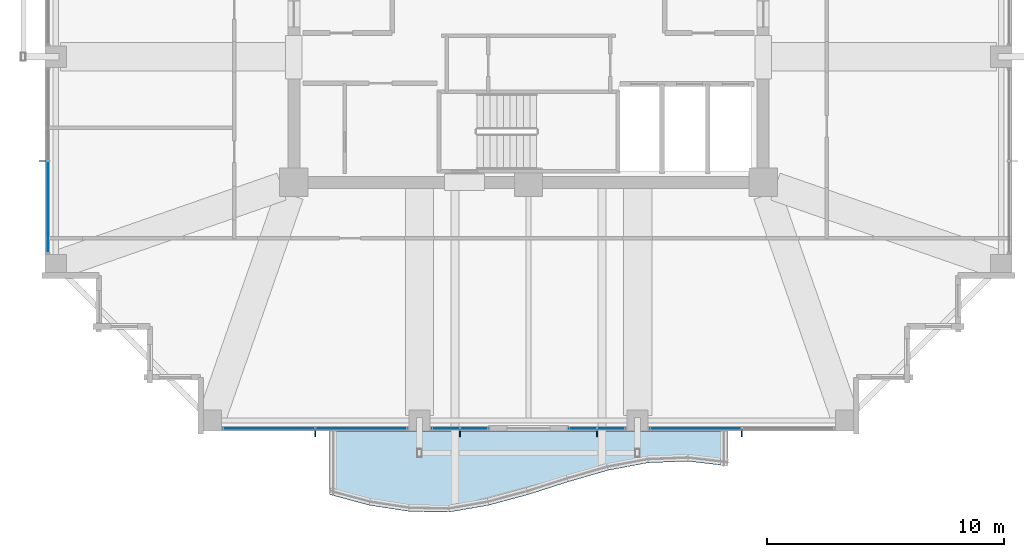
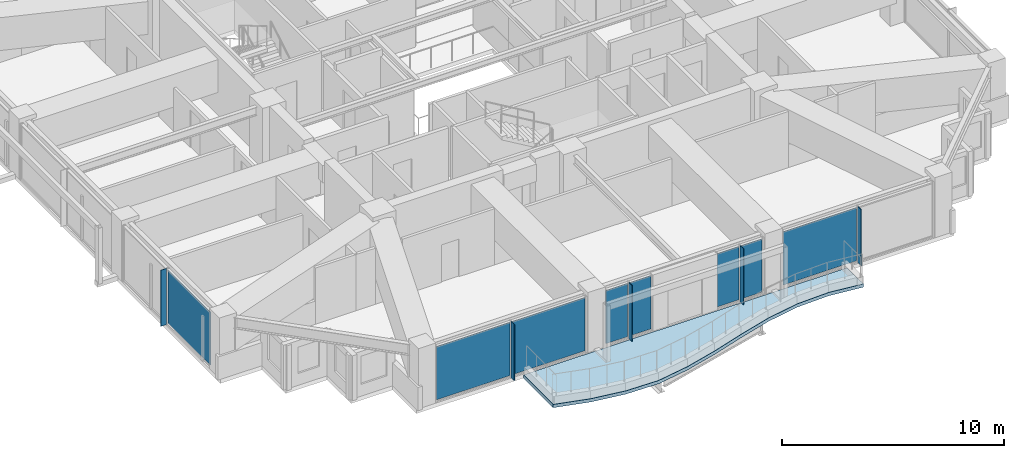
# One storey, part 25 of 37: 13 plates, 1 slab, 5 elements without a shape of their own.
"""IFC4 building model written with IfcOpenShell, lengths in metres."""

from ifc_helpers import new_model, si_unit, direction, frame, origin, origin_2d, place, context, subcontext, project, spatial, polyline, rectangle, outline, extrude, material, layer, layer_set, type_object, element, aggregate, save


model = new_model("IFC4")

# Units and contexts
model_context = context("Model", 3, precision=1e-05, world=origin(), true_north=direction((0.0, 1.0)))
body_context = subcontext(model_context, "Body", "Model", "MODEL_VIEW")
ifc_project = project(units=[si_unit("LENGTHUNIT", "METRE"), si_unit("AREAUNIT", "SQUARE_METRE"), si_unit("VOLUMEUNIT", "CUBIC_METRE"), si_unit("PLANEANGLEUNIT", "RADIAN"), si_unit("MASSUNIT", "GRAM", prefix="KILO")], contexts=[model_context])

# Site, building, storey
site_placement = place(None, origin())
site = spatial("IfcSite", under=ifc_project, at=site_placement, CompositionType="ELEMENT")
building_placement = place(site_placement, origin())
building = spatial("IfcBuilding", under=site, at=building_placement, Name="Kolvaren Belvedere", CompositionType="ELEMENT")
storey_placement = place(building_placement, frame((0.0, 0.0, 186.60009765625)))
storey = spatial("IfcBuildingStorey", under=building, at=storey_placement, Name="L54", CompositionType="ELEMENT", Elevation=186.60009765625)

# Curtain wall, plate
ifc_material_1 = material(Name="Anodised pale-metal aluminium AA 6063-T6", Category="aluminium")
curtain_wall_type = type_object("IfcCurtainWallType", Name="CW-Z5-HIGH", PredefinedType="NOTDEFINED", material=ifc_material_1)
curtain_wall_1_placement = place(storey_placement, origin())
curtain_wall_1 = element("IfcCurtainWall", 1, at=curtain_wall_1_placement, inside=storey, type_object=curtain_wall_type, Name="L54 Unitised Curtain Wall FCW-L54-S1-B1", PredefinedType="NOTDEFINED")
ifc_material_2 = material(Name="Low-iron triple insulated glass", Category="glass")
ifc_layer_1 = layer(ifc_material_2, 0.028076171875)
ifc_layer_set_1 = layer_set([ifc_layer_1], Name="Low-iron triple insulated glass")
plate_type_1 = type_object("IfcPlateType", Name="CW-PNL-VIS28", PredefinedType="CURTAIN_PANEL", material=ifc_layer_set_1)
plate_1_placement = place(storey_placement, frame((7.052490234375, -20.280029296875, 0.079833984375), z_axis=(0.0, 0.0, 1.0), x_axis=(-1.0, 0.0, 0.0)))
plate_1 = element("IfcPlate", 2, at=plate_1_placement, type_object=plate_type_1, Name="FCW-L54-S1-B1 Vision Glazing Panel 2", PredefinedType="CURTAIN_PANEL", context=body_context, shape_type="SweptSolid", body=[
    extrude(rectangle(XDim=3.81494140625, YDim=0.028076171875, at=origin_2d()), origin(), (0.0, 0.0, 1.0), 2.919921875),
])
aggregate(curtain_wall_1, [plate_1])

# Curtain wall, plates
curtain_wall_2_placement = place(storey_placement, origin())
curtain_wall_2 = element("IfcCurtainWall", 3, at=curtain_wall_2_placement, inside=storey, type_object=curtain_wall_type, Name="L54 Unitised Curtain Wall FCW-L54-S1-B2", PredefinedType="NOTDEFINED")
plate_2_placement = place(storey_placement, frame((3.4912109375, -20.280029296875, 0.079833984375), z_axis=(0.0, 0.0, 1.0), x_axis=(-1.0, 0.0, 0.0)))
plate_2 = element("IfcPlate", 4, at=plate_2_placement, type_object=plate_type_1, Name="FCW-L54-S1-B2 Vision Glazing Panel 1", PredefinedType="CURTAIN_PANEL", context=body_context, shape_type="SweptSolid", body=[
    extrude(rectangle(XDim=1.12744140625, YDim=0.028076171875, at=origin_2d()), origin(), (0.0, 0.0, 1.0), 2.919921875),
])
plate_3_placement = place(storey_placement, frame((2.28369140625, -20.280029296875, 0.079833984375), z_axis=(0.0, 0.0, 1.0), x_axis=(-1.0, 0.0, 0.0)))
plate_3 = element("IfcPlate", 5, at=plate_3_placement, type_object=plate_type_1, Name="FCW-L54-S1-B2 Vision Glazing Panel 2", PredefinedType="CURTAIN_PANEL", context=body_context, shape_type="SweptSolid", body=[
    extrude(rectangle(XDim=1.12744140625, YDim=0.028076171875, at=origin_2d()), origin(), (0.0, 0.0, 1.0), 2.919921875),
])
aggregate(curtain_wall_2, [plate_2, plate_3])

curtain_wall_3_placement = place(storey_placement, origin())
curtain_wall_3 = element("IfcCurtainWall", 6, at=curtain_wall_3_placement, inside=storey, type_object=curtain_wall_type, Name="L54 Unitised Curtain Wall FCW-L54-S2-B1", PredefinedType="NOTDEFINED")
plate_4_placement = place(storey_placement, frame((-2.28369140625, -20.280029296875, 0.079833984375), z_axis=(0.0, 0.0, 1.0), x_axis=(-1.0, 0.0, 0.0)))
plate_4 = element("IfcPlate", 7, at=plate_4_placement, type_object=plate_type_1, Name="FCW-L54-S2-B1 Vision Glazing Panel 1", PredefinedType="CURTAIN_PANEL", context=body_context, shape_type="SweptSolid", body=[
    extrude(rectangle(XDim=1.12744140625, YDim=0.028076171875, at=origin_2d()), origin(), (0.0, 0.0, 1.0), 2.919921875),
])
plate_5_placement = place(storey_placement, frame((-3.4912109375, -20.280029296875, 0.079833984375), z_axis=(0.0, 0.0, 1.0), x_axis=(-1.0, 0.0, 0.0)))
plate_5 = element("IfcPlate", 8, at=plate_5_placement, type_object=plate_type_1, Name="FCW-L54-S2-B1 Vision Glazing Panel 2", PredefinedType="CURTAIN_PANEL", context=body_context, shape_type="SweptSolid", body=[
    extrude(rectangle(XDim=1.12744140625, YDim=0.028076171875, at=origin_2d()), origin(), (0.0, 0.0, 1.0), 2.919921875),
])
aggregate(curtain_wall_3, [plate_4, plate_5])

curtain_wall_4_placement = place(storey_placement, origin())
curtain_wall_4 = element("IfcCurtainWall", 9, at=curtain_wall_4_placement, inside=storey, type_object=curtain_wall_type, Name="L54 Unitised Curtain Wall FCW-L54-S2-B2", PredefinedType="NOTDEFINED")
plate_6_placement = place(storey_placement, frame((-7.052490234375, -20.280029296875, 0.079833984375), z_axis=(0.0, 0.0, 1.0), x_axis=(-1.0, 0.0, 0.0)))
plate_6 = element("IfcPlate", 10, at=plate_6_placement, type_object=plate_type_1, Name="FCW-L54-S2-B2 Vision Glazing Panel 1", PredefinedType="CURTAIN_PANEL", context=body_context, shape_type="SweptSolid", body=[
    extrude(rectangle(XDim=3.81494140625, YDim=0.028076171875, at=origin_2d()), origin(), (0.0, 0.0, 1.0), 2.919921875),
])
plate_7_placement = place(storey_placement, frame((-10.947509765625, -20.280029296875, 0.079833984375), z_axis=(0.0, 0.0, 1.0), x_axis=(-1.0, 0.0, 0.0)))
plate_7 = element("IfcPlate", 11, at=plate_7_placement, type_object=plate_type_1, Name="FCW-L54-S2-B2 Vision Glazing Panel 2", PredefinedType="CURTAIN_PANEL", context=body_context, shape_type="SweptSolid", body=[
    extrude(rectangle(XDim=3.81494140625, YDim=0.028076171875, at=origin_2d()), origin(), (0.0, 0.0, 1.0), 2.919921875),
])
aggregate(curtain_wall_4, [plate_6, plate_7])

# Curtain wall, plate
curtain_wall_5_placement = place(storey_placement, origin())
curtain_wall_5 = element("IfcCurtainWall", 12, at=curtain_wall_5_placement, inside=storey, type_object=curtain_wall_type, Name="L54 Unitised Curtain Wall FCW-L54-W-B1", PredefinedType="NOTDEFINED")
plate_8_placement = place(storey_placement, frame((-20.280029296875, -10.947509765625, 0.079833984375), z_axis=(0.0, 0.0, 1.0), x_axis=(0.0, 1.0, 0.0)))
plate_8 = element("IfcPlate", 13, at=plate_8_placement, type_object=plate_type_1, Name="FCW-L54-W-B1 Vision Glazing Panel 1", PredefinedType="CURTAIN_PANEL", context=body_context, shape_type="SweptSolid", body=[
    extrude(rectangle(XDim=3.81494140625, YDim=0.028076171875, at=origin_2d()), origin(), (0.0, 0.0, 1.0), 2.919921875),
])
aggregate(curtain_wall_5, [plate_8])

# Plates
ifc_material_3 = material(Name="Anodised pale-metal aluminium AA 6063-T6", Category="aluminium")
ifc_layer_2 = layer(ifc_material_3, 0.030029296875)
ifc_layer_set_2 = layer_set([ifc_layer_2], Name="Anodised pale-metal aluminium AA 6063-T6")
plate_type_2 = type_object("IfcPlateType", Name="FIN-VERT-300", PredefinedType="USERDEFINED", material=ifc_layer_set_2)
for number, where, z_axis, x_axis, name in (
    (14, (9.0, -20.489990234375, -0.000244140625), (0.0, 0.0, 1.0), (0.0, 1.0, 0.0), "L54 Pale-Metal Vertical Shading Fin FCW-L54-S1-B1-1"),
    (15, (2.887451171875, -20.489990234375, -0.000244140625), (0.0, 0.0, 1.0), (0.0, 1.0, 0.0), "L54 Pale-Metal Vertical Shading Fin FCW-L54-S1-B2-1"),
    (16, (-2.887451171875, -20.489990234375, -0.000244140625), (0.0, 0.0, 1.0), (0.0, 1.0, 0.0), "L54 Pale-Metal Vertical Shading Fin FCW-L54-S2-B1-1"),
    (17, (-9.0, -20.489990234375, -0.000244140625), (0.0, 0.0, 1.0), (0.0, 1.0, 0.0), "L54 Pale-Metal Vertical Shading Fin FCW-L54-S2-B2-1"),
    (18, (-20.489990234375, -9.0, -0.000244140625), (0.0, 0.0, 1.0), (1.0, 0.0, 0.0), "L54 Pale-Metal Vertical Shading Fin FCW-L54-W-B1-1"),
):
    element("IfcPlate", number, at=place(storey_placement, frame(where, z_axis=z_axis, x_axis=x_axis)), inside=storey, type_object=plate_type_2, Name=name, ObjectType="VERTICAL FIN", PredefinedType="USERDEFINED", context=body_context, shape_type="SweptSolid", body=[
        extrude(rectangle(XDim=0.300048828125, YDim=0.030029296875, at=origin_2d()), origin(), (0.0, 0.0, 1.0), 3.080078125),
    ])

# Slab
ifc_material_4 = material(Name="Concrete C50/60", Category="concrete")
ifc_layer_3 = layer(ifc_material_4, 0.179931640625)
ifc_layer_set_3 = layer_set([ifc_layer_3], Name="Concrete C50/60")
slab_type = type_object("IfcSlabType", Name="SL-BAL-180", PredefinedType="FLOOR", material=ifc_layer_set_3)
slab_placement = place(storey_placement, frame((0.0, 0.0, -0.22021484375)))
element("IfcSlab", 19, at=slab_placement, inside=storey, type_object=slab_type, Name="L54 Planted Balcony BAL-S", PredefinedType="FLOOR", context=body_context, shape_type="SweptSolid", body=[
    extrude(outline(polyline([(-8.39990234375, -23.07373046875), (-6.719970703125, -23.52734375), (-5.0400390625, -23.7861328125), (-3.360107421875, -23.820068359375), (-1.679931640625, -23.52734375), (0.0, -23.07373046875), (1.679931640625, -22.53759765625), (3.360107421875, -22.051513671875), (5.0400390625, -21.73583984375), (6.719970703125, -21.66845703125), (8.39990234375, -21.8662109375), (8.39990234375, -20.39990234375), (6.719970703125, -20.39990234375), (5.0400390625, -20.39990234375), (3.360107421875, -20.39990234375), (1.679931640625, -20.39990234375), (0.0, -20.39990234375), (-1.679931640625, -20.39990234375), (-3.360107421875, -20.39990234375), (-5.0400390625, -20.39990234375), (-6.719970703125, -20.39990234375), (-8.39990234375, -20.39990234375), (-8.39990234375, -23.07373046875)])), origin(), (0.0, 0.0, 1.0), 0.18017578125),
])

save(model, "model.ifc")
